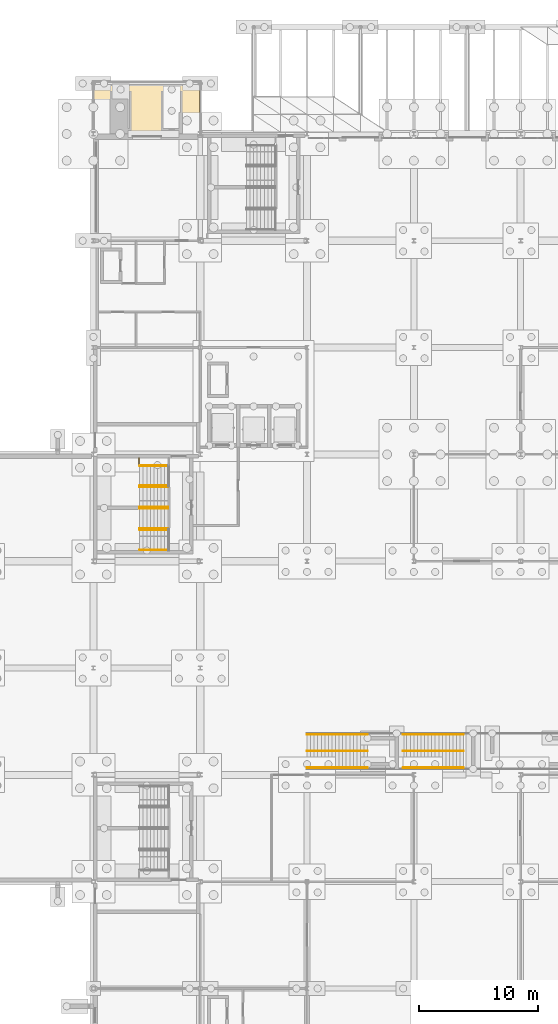
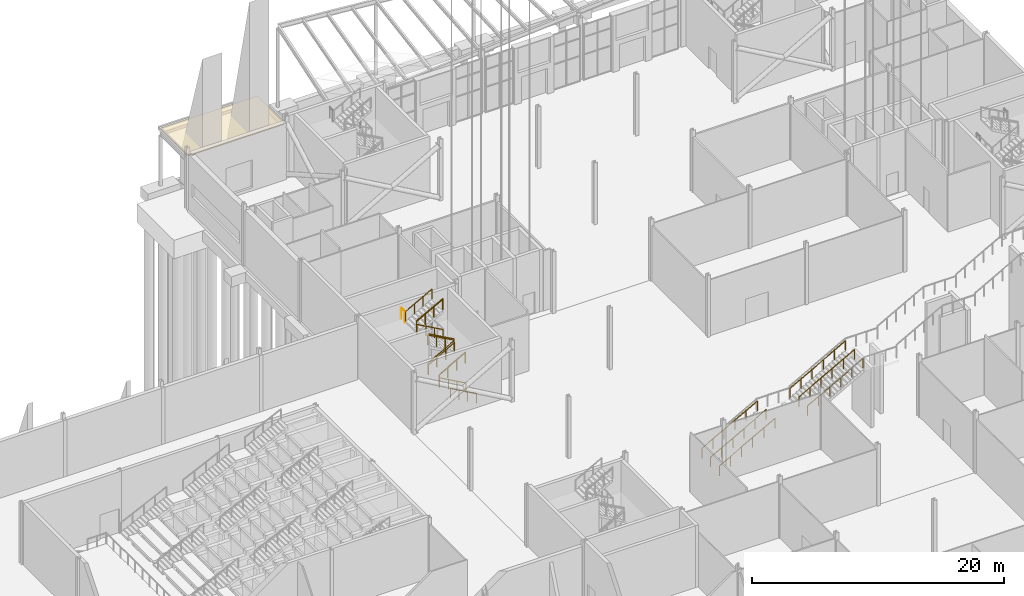
# One storey, part 135 of 139: 19 railings, 1 covering.
"""IFC4 building model written with IfcOpenShell, lengths in metres."""

from ifc_helpers import new_model, si_unit, direction, frame, origin, origin_2d, place, context, subcontext, project, spatial, polyline, circle, outline, extrude, material, layer, layer_set, type_object, element, save


model = new_model("IFC4")

# Units and contexts
model_context = context("Model", 3, precision=1e-05, world=origin(), true_north=direction((0.0, 1.0)))
body_context = subcontext(model_context, "Body", "Model", "MODEL_VIEW")
ifc_project = project(units=[si_unit("LENGTHUNIT", "METRE"), si_unit("AREAUNIT", "SQUARE_METRE"), si_unit("VOLUMEUNIT", "CUBIC_METRE"), si_unit("PLANEANGLEUNIT", "RADIAN"), si_unit("MASSUNIT", "GRAM", prefix="KILO")], contexts=[model_context])

# Site, building, storey
site_placement = place(None, origin())
site = spatial("IfcSite", under=ifc_project, at=site_placement, CompositionType="ELEMENT")
building_placement = place(site_placement, origin())
building = spatial("IfcBuilding", under=site, at=building_placement, Name="Shorebreak Coast Museum", CompositionType="ELEMENT")
storey_placement = place(building_placement, origin())
storey = spatial("IfcBuildingStorey", under=building, at=storey_placement, Name="L00", CompositionType="ELEMENT", Elevation=0.0)

# Railings
ifc_material_1 = material(Name="Steel Grade 300", Category="steel")
railing_type_1 = type_object("IfcRailingType", Name="Feature stair handrail 950", PredefinedType="HANDRAIL", material=ifc_material_1)
for number, where, name in (
    (1, (72.0, 63.60009765625, 0.166748046875), "Handrail feature stair flight 1S"),
    (2, (72.0, 66.39990234375, 0.166748046875), "Handrail feature stair flight 1N"),
    (3, (72.0, 65.0, 0.166748046875), "Handrail feature stair flight 1C"),
):
    element("IfcRailing", number, at=place(storey_placement, frame(where)), inside=storey, type_object=railing_type_1, Name=name, PredefinedType="HANDRAIL", context=body_context, shape_type="SweptSolid", body=[
        extrude(circle(Radius=0.02490234375, at=origin_2d()), frame((0.0, 0.0, 0.9248046875), z_axis=(0.874167145328, 0.0, 0.485625166182), x_axis=(0.0, 1.0, 0.0)), (0.0, 0.0, 1.0), 5.834228515625),
        extrude(circle(Radius=0.02001953125, at=origin_2d()), origin(), (0.0, 0.0, 1.0), 0.89990234375),
        extrude(circle(Radius=0.02001953125, at=origin_2d()), frame((1.02001953125, 0.0, 0.566650390625)), (0.0, 0.0, 1.0), 0.89990234375),
        extrude(circle(Radius=0.02001953125, at=origin_2d()), frame((2.0400390625, 0.0, 1.13330078125)), (0.0, 0.0, 1.0), 0.89990234375),
        extrude(circle(Radius=0.02001953125, at=origin_2d()), frame((3.06005859375, 0.0, 1.699951171875)), (0.0, 0.0, 1.0), 0.89990234375),
        extrude(circle(Radius=0.02001953125, at=origin_2d()), frame((4.080078125, 0.0, 2.2666015625)), (0.0, 0.0, 1.0), 0.89990234375),
        extrude(circle(Radius=0.02001953125, at=origin_2d()), frame((5.10009765625, 0.0, 2.833251953125)), (0.0, 0.0, 1.0), 0.89990234375),
    ])
for number, where, name in (
    (4, (80.10009765625, 63.60009765625, 3.166748046875), "Handrail feature stair flight 2S"),
    (5, (80.10009765625, 66.39990234375, 3.166748046875), "Handrail feature stair flight 2N"),
    (6, (80.10009765625, 65.0, 3.166748046875), "Handrail feature stair flight 2C"),
):
    element("IfcRailing", number, at=place(storey_placement, frame(where)), inside=storey, type_object=railing_type_1, Name=name, PredefinedType="HANDRAIL", context=body_context, shape_type="SweptSolid", body=[
        extrude(circle(Radius=0.02490234375, at=origin_2d()), frame((0.0, 0.0, 0.9248046875), z_axis=(0.874157276122, 0.0, 0.485642931179), x_axis=(0.0, 1.0, 0.0)), (0.0, 0.0, 1.0), 5.833984375),
        extrude(circle(Radius=0.02001953125, at=origin_2d()), origin(), (0.0, 0.0, 1.0), 0.89990234375),
        extrude(circle(Radius=0.02001953125, at=origin_2d()), frame((1.02001953125, 0.0, 0.566650390625)), (0.0, 0.0, 1.0), 0.89990234375),
        extrude(circle(Radius=0.02001953125, at=origin_2d()), frame((2.0400390625, 0.0, 1.13330078125)), (0.0, 0.0, 1.0), 0.89990234375),
        extrude(circle(Radius=0.02001953125, at=origin_2d()), frame((3.059814453125, 0.0, 1.699951171875)), (0.0, 0.0, 1.0), 0.89990234375),
        extrude(circle(Radius=0.02001953125, at=origin_2d()), frame((4.079833984375, 0.0, 2.2666015625)), (0.0, 0.0, 1.0), 0.89990234375),
        extrude(circle(Radius=0.02001953125, at=origin_2d()), frame((5.099853515625, 0.0, 2.833251953125)), (0.0, 0.0, 1.0), 0.89990234375),
    ])

# Covering
ifc_material_2 = material(Name="Growing medium")
ifc_layer = layer(ifc_material_2, 0.14990234375)
ifc_layer_set = layer_set([ifc_layer], Name="Growing medium")
covering_type = type_object("IfcCoveringType", Name="Green roof planting 150", PredefinedType="ROOFING", material=ifc_layer_set)
covering_placement = place(storey_placement, frame((0.0, 0.0, 5.0)))
element("IfcCovering", 7, at=covering_placement, inside=storey, type_object=covering_type, Name="Green roof planting arcade north 1", PredefinedType="ROOFING", context=body_context, shape_type="SweptSolid", body=[
    extrude(outline(polyline([(54.050048828125, 121.35009765625), (62.949951171875, 121.35009765625), (62.949951171875, 117.16357421875), (62.844482421875, 117.16357421875), (62.844482421875, 117.0), (54.155517578125, 117.0), (54.155517578125, 117.16357421875), (54.050048828125, 117.16357421875), (54.050048828125, 121.35009765625)])), origin(), (0.0, 0.0, 1.0), 0.14990234375),
])

# Railings
ifc_material_3 = material(Name="Steel Grade 300", Category="steel")
railing_type_2 = type_object("IfcRailingType", Name="Stair guard 1100", PredefinedType="GUARDRAIL", material=ifc_material_3)
railing_1_placement = place(storey_placement, frame((57.85009765625, 89.10009765625, 4.5)))
element("IfcRailing", 8, at=railing_1_placement, inside=storey, type_object=railing_type_2, Name="Guard ST03 L00 landing strip", PredefinedType="GUARDRAIL", context=body_context, shape_type="SweptSolid", body=[
    extrude(circle(Radius=0.02490234375, at=origin_2d()), frame((0.0, 0.0, 1.0751953125), z_axis=(0.0, 1.0, 0.0), x_axis=(-1.0, 0.0, 0.0)), (0.0, 0.0, 1.0), 0.599853515625),
    extrude(circle(Radius=0.02001953125, at=origin_2d()), origin(), (0.0, 0.0, 1.0), 1.050048828125),
    extrude(circle(Radius=0.02001953125, at=origin_2d()), frame((0.0, 0.599853515625, 0.0)), (0.0, 0.0, 1.0), 1.050048828125),
])
for number, where, name in (
    (9, (57.89990234375, 83.699951171875, 1.666748046875), "Guard ST03-L00 well 1"),
    (10, (57.89990234375, 87.300048828125, 4.666748046875), "Guard ST03-L00 well 2"),
    (11, (57.89990234375, 85.5, 1.666748046875), "Guard ST03-L00 side 1"),
):
    element("IfcRailing", number, at=place(storey_placement, frame(where)), inside=storey, type_object=railing_type_2, Name=name, PredefinedType="GUARDRAIL", context=body_context, shape_type="SweptSolid", body=[
        extrude(circle(Radius=0.02490234375, at=origin_2d()), frame((0.0, 0.0, 1.0751953125), z_axis=(0.874182441271, 0.0, 0.485597631145), x_axis=(0.0, 1.0, 0.0)), (0.0, 0.0, 1.0), 2.74560546875),
        extrude(circle(Radius=0.02001953125, at=origin_2d()), origin(), (0.0, 0.0, 1.0), 1.050048828125),
        extrude(circle(Radius=0.02001953125, at=origin_2d()), frame((0.800048828125, 0.0, 0.4443359375)), (0.0, 0.0, 1.0), 1.050048828125),
        extrude(circle(Radius=0.02001953125, at=origin_2d()), frame((1.60009765625, 0.0, 0.888916015625)), (0.0, 0.0, 1.0), 1.050048828125),
        extrude(circle(Radius=0.02001953125, at=origin_2d()), frame((2.400146484375, 0.0, 1.333251953125)), (0.0, 0.0, 1.0), 1.050048828125),
    ])
railing_2_placement = place(storey_placement, frame((60.300048828125, 85.5, 3.166748046875)))
element("IfcRailing", 12, at=railing_2_placement, inside=storey, type_object=railing_type_2, Name="Guard ST03-L00 side 2", PredefinedType="GUARDRAIL", context=body_context, shape_type="SweptSolid", body=[
    extrude(circle(Radius=0.02490234375, at=origin_2d()), frame((0.0, 0.0, 1.0751953125), z_axis=(-0.874182441271, 0.0, 0.485597631145), x_axis=(0.0, -1.0, 0.0)), (0.0, 0.0, 1.0), 2.74560546875),
    extrude(circle(Radius=0.02001953125, at=origin_2d()), origin(), (0.0, 0.0, 1.0), 1.050048828125),
    extrude(circle(Radius=0.02001953125, at=origin_2d()), frame((-0.800048828125, 0.0, 0.4443359375)), (0.0, 0.0, 1.0), 1.050048828125),
    extrude(circle(Radius=0.02001953125, at=origin_2d()), frame((-1.60009765625, 0.0, 0.888916015625)), (0.0, 0.0, 1.0), 1.050048828125),
    extrude(circle(Radius=0.02001953125, at=origin_2d()), frame((-2.400146484375, 0.0, 1.333251953125)), (0.0, 0.0, 1.0), 1.050048828125),
])
ifc_material_4 = material(Name="Steel Grade 300", Category="steel")
railing_type_3 = type_object("IfcRailingType", Name="Stair handrail 950", PredefinedType="HANDRAIL", material=ifc_material_4)
for number, where, name in (
    (13, (60.300048828125, 81.9599609375, 0.166748046875), "Handrail ST03-L00 flight 1a"),
    (14, (60.300048828125, 83.639892578125, 0.166748046875), "Handrail ST03-L00 flight 1b"),
):
    element("IfcRailing", number, at=place(storey_placement, frame(where)), inside=storey, type_object=railing_type_3, Name=name, PredefinedType="HANDRAIL", context=body_context, shape_type="SweptSolid", body=[
        extrude(circle(Radius=0.02490234375, at=origin_2d()), frame((0.0, 0.0, 0.9248046875), z_axis=(-0.874182441271, 0.0, 0.485597631145), x_axis=(0.0, -1.0, 0.0)), (0.0, 0.0, 1.0), 2.74560546875),
        extrude(circle(Radius=0.02001953125, at=origin_2d()), origin(), (0.0, 0.0, 1.0), 0.89990234375),
        extrude(circle(Radius=0.02001953125, at=origin_2d()), frame((-0.800048828125, 0.0, 0.4443359375)), (0.0, 0.0, 1.0), 0.89990234375),
        extrude(circle(Radius=0.02001953125, at=origin_2d()), frame((-1.60009765625, 0.0, 0.888916015625)), (0.0, 0.0, 1.0), 0.89990234375),
        extrude(circle(Radius=0.02001953125, at=origin_2d()), frame((-2.400146484375, 0.0, 1.333251953125)), (0.0, 0.0, 1.0), 0.89990234375),
    ])
for number, where, name in (
    (15, (57.89990234375, 83.760009765625, 1.666748046875), "Handrail ST03-L00 flight 2a"),
    (16, (57.89990234375, 85.43994140625, 1.666748046875), "Handrail ST03-L00 flight 2b"),
):
    element("IfcRailing", number, at=place(storey_placement, frame(where)), inside=storey, type_object=railing_type_3, Name=name, PredefinedType="HANDRAIL", context=body_context, shape_type="SweptSolid", body=[
        extrude(circle(Radius=0.02490234375, at=origin_2d()), frame((0.0, 0.0, 0.9248046875), z_axis=(0.874182441271, 0.0, 0.485597631145), x_axis=(0.0, 1.0, 0.0)), (0.0, 0.0, 1.0), 2.74560546875),
        extrude(circle(Radius=0.02001953125, at=origin_2d()), origin(), (0.0, 0.0, 1.0), 0.89990234375),
        extrude(circle(Radius=0.02001953125, at=origin_2d()), frame((0.800048828125, 0.0, 0.4443359375)), (0.0, 0.0, 1.0), 0.89990234375),
        extrude(circle(Radius=0.02001953125, at=origin_2d()), frame((1.60009765625, 0.0, 0.888916015625)), (0.0, 0.0, 1.0), 0.89990234375),
        extrude(circle(Radius=0.02001953125, at=origin_2d()), frame((2.400146484375, 0.0, 1.333251953125)), (0.0, 0.0, 1.0), 0.89990234375),
    ])
for number, where, name in (
    (17, (60.300048828125, 85.56005859375, 3.166748046875), "Handrail ST03-L00 flight 3a"),
    (18, (60.300048828125, 87.239990234375, 3.166748046875), "Handrail ST03-L00 flight 3b"),
):
    element("IfcRailing", number, at=place(storey_placement, frame(where)), inside=storey, type_object=railing_type_3, Name=name, PredefinedType="HANDRAIL", context=body_context, shape_type="SweptSolid", body=[
        extrude(circle(Radius=0.02490234375, at=origin_2d()), frame((0.0, 0.0, 0.9248046875), z_axis=(-0.874182441271, 0.0, 0.485597631145), x_axis=(0.0, -1.0, 0.0)), (0.0, 0.0, 1.0), 2.74560546875),
        extrude(circle(Radius=0.02001953125, at=origin_2d()), origin(), (0.0, 0.0, 1.0), 0.89990234375),
        extrude(circle(Radius=0.02001953125, at=origin_2d()), frame((-0.800048828125, 0.0, 0.4443359375)), (0.0, 0.0, 1.0), 0.89990234375),
        extrude(circle(Radius=0.02001953125, at=origin_2d()), frame((-1.60009765625, 0.0, 0.888916015625)), (0.0, 0.0, 1.0), 0.89990234375),
        extrude(circle(Radius=0.02001953125, at=origin_2d()), frame((-2.400146484375, 0.0, 1.333251953125)), (0.0, 0.0, 1.0), 0.89990234375),
    ])
for number, where, name in (
    (19, (57.89990234375, 87.360107421875, 4.666748046875), "Handrail ST03-L00 flight 4a"),
    (20, (57.89990234375, 89.0400390625, 4.666748046875), "Handrail ST03-L00 flight 4b"),
):
    element("IfcRailing", number, at=place(storey_placement, frame(where)), inside=storey, type_object=railing_type_3, Name=name, PredefinedType="HANDRAIL", context=body_context, shape_type="SweptSolid", body=[
        extrude(circle(Radius=0.02490234375, at=origin_2d()), frame((0.0, 0.0, 0.9248046875), z_axis=(0.874182441271, 0.0, 0.485597631145), x_axis=(0.0, 1.0, 0.0)), (0.0, 0.0, 1.0), 2.74560546875),
        extrude(circle(Radius=0.02001953125, at=origin_2d()), origin(), (0.0, 0.0, 1.0), 0.89990234375),
        extrude(circle(Radius=0.02001953125, at=origin_2d()), frame((0.800048828125, 0.0, 0.4443359375)), (0.0, 0.0, 1.0), 0.89990234375),
        extrude(circle(Radius=0.02001953125, at=origin_2d()), frame((1.60009765625, 0.0, 0.888916015625)), (0.0, 0.0, 1.0), 0.89990234375),
        extrude(circle(Radius=0.02001953125, at=origin_2d()), frame((2.400146484375, 0.0, 1.333251953125)), (0.0, 0.0, 1.0), 0.89990234375),
    ])

save(model, "model.ifc")
